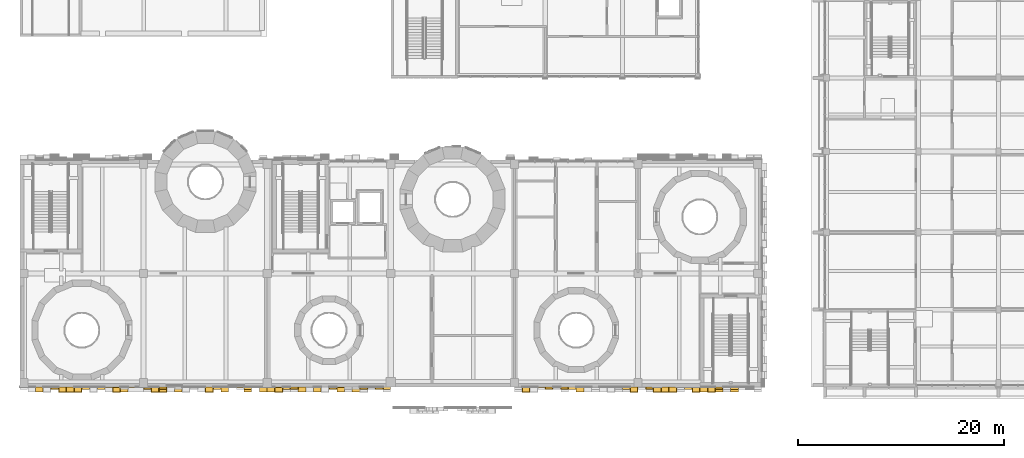
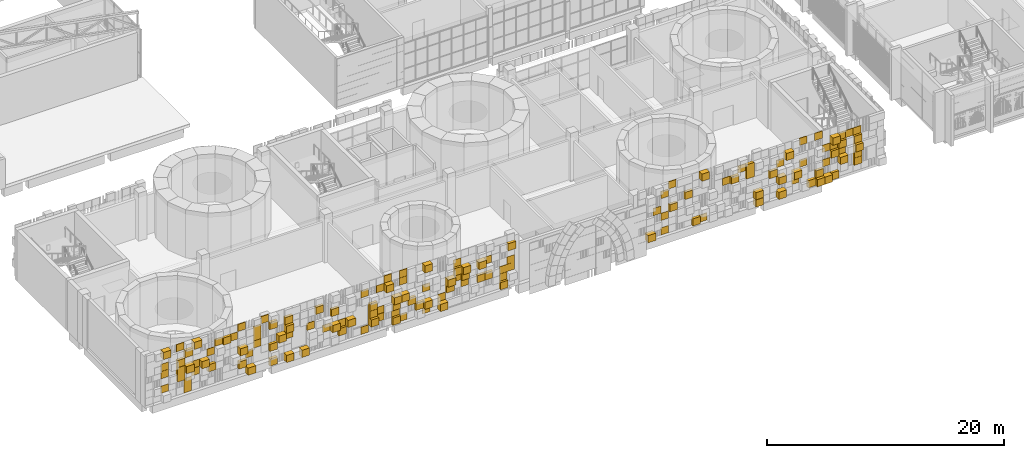
# One storey, part 95 of 125: 2 coverings.
"""IFC4 building model written with IfcOpenShell, lengths in metres."""

from ifc_helpers import new_model, si_unit, direction, frame, origin, origin_2d, place, context, subcontext, project, spatial, rectangle, extrude, material, layer, layer_set, type_object, element, save


model = new_model("IFC4")

# Units and contexts
model_context = context("Model", 3, precision=1e-05, world=origin(), true_north=direction((0.0, 1.0)))
body_context = subcontext(model_context, "Body", "Model", "MODEL_VIEW")
ifc_project = project(units=[si_unit("LENGTHUNIT", "METRE"), si_unit("AREAUNIT", "SQUARE_METRE"), si_unit("VOLUMEUNIT", "CUBIC_METRE"), si_unit("PLANEANGLEUNIT", "RADIAN"), si_unit("MASSUNIT", "GRAM", prefix="KILO")], contexts=[model_context])

# Site, building, storey
site_placement = place(None, origin())
site = spatial("IfcSite", under=ifc_project, at=site_placement, CompositionType="ELEMENT")
building_placement = place(site_placement, origin())
building = spatial("IfcBuilding", under=site, at=building_placement, Name="Sun Court Science Centre", CompositionType="ELEMENT")
storey_placement = place(building_placement, frame((0.0, 0.0, 6.0)))
storey = spatial("IfcBuildingStorey", under=building, at=storey_placement, Name="L01", CompositionType="ELEMENT", Elevation=6.0)

# Coverings
ifc_material_1 = material(Name="Terracotta shade 3", Category="masonry")
ifc_layer_1 = layer(ifc_material_1, 0.06005859375)
ifc_layer_set_1 = layer_set([ifc_layer_1], Name="Terracotta shade 3")
covering_type_1 = type_object("IfcCoveringType", Name="Terracotta pixel panel shade 3", PredefinedType="CLADDING", material=ifc_layer_set_1)
covering_1_placement = place(storey_placement, frame((0.0, 0.0, -6.0)))
element("IfcCovering", 1, at=covering_1_placement, inside=storey, type_object=covering_type_1, Name="Terracotta pixel cladding shade 3 south face L01", PredefinedType="CLADDING", context=body_context, shape_type="SweptSolid", body=[
    extrude(rectangle(XDim=0.739990234375, YDim=0.510009765625, at=origin_2d()), frame((66.375, 5.7451171875, 6.0048828125), z_axis=(0.0, 0.0, 1.0), x_axis=(-1.0, 0.0, 0.0)), (0.0, 0.0, 1.0), 0.739990234375),
    extrude(rectangle(XDim=0.739990234375, YDim=0.260009765625, at=origin_2d()), frame((64.875, 5.8701171875, 6.0048828125), z_axis=(0.0, 0.0, 1.0), x_axis=(-1.0, 0.0, 0.0)), (0.0, 0.0, 1.0), 0.739990234375),
    extrude(rectangle(XDim=0.739990234375, YDim=0.510009765625, at=origin_2d()), frame((61.875, 5.7451171875, 6.0048828125), z_axis=(0.0, 0.0, 1.0), x_axis=(-1.0, 0.0, 0.0)), (0.0, 0.0, 1.0), 0.739990234375),
    extrude(rectangle(XDim=0.739990234375, YDim=0.06005859375, at=origin_2d()), frame((54.375, 5.969970703125, 6.0048828125), z_axis=(0.0, 0.0, 1.0), x_axis=(-1.0, 0.0, 0.0)), (0.0, 0.0, 1.0), 0.739990234375),
    extrude(rectangle(XDim=0.739990234375, YDim=0.260009765625, at=origin_2d()), frame((53.625, 5.8701171875, 6.0048828125), z_axis=(0.0, 0.0, 1.0), x_axis=(-1.0, 0.0, 0.0)), (0.0, 0.0, 1.0), 0.739990234375),
    extrude(rectangle(XDim=0.739990234375, YDim=0.510009765625, at=origin_2d()), frame((28.875, 5.7451171875, 6.0048828125), z_axis=(0.0, 0.0, 1.0), x_axis=(-1.0, 0.0, 0.0)), (0.0, 0.0, 1.0), 0.739990234375),
    extrude(rectangle(XDim=0.739990234375, YDim=0.06005859375, at=origin_2d()), frame((27.375, 5.969970703125, 6.0048828125), z_axis=(0.0, 0.0, 1.0), x_axis=(-1.0, 0.0, 0.0)), (0.0, 0.0, 1.0), 0.739990234375),
    extrude(rectangle(XDim=0.739990234375, YDim=0.06005859375, at=origin_2d()), frame((25.125, 5.969970703125, 6.0048828125), z_axis=(0.0, 0.0, 1.0), x_axis=(-1.0, 0.0, 0.0)), (0.0, 0.0, 1.0), 0.739990234375),
    extrude(rectangle(XDim=0.739990234375, YDim=0.260009765625, at=origin_2d()), frame((24.375, 5.8701171875, 6.0048828125), z_axis=(0.0, 0.0, 1.0), x_axis=(-1.0, 0.0, 0.0)), (0.0, 0.0, 1.0), 0.739990234375),
    extrude(rectangle(XDim=0.739990234375, YDim=0.06005859375, at=origin_2d()), frame((21.375, 5.969970703125, 6.0048828125), z_axis=(0.0, 0.0, 1.0), x_axis=(-1.0, 0.0, 0.0)), (0.0, 0.0, 1.0), 0.739990234375),
    extrude(rectangle(XDim=0.739990234375, YDim=0.510009765625, at=origin_2d()), frame((15.375, 5.7451171875, 6.0048828125), z_axis=(0.0, 0.0, 1.0), x_axis=(-1.0, 0.0, 0.0)), (0.0, 0.0, 1.0), 0.739990234375),
    extrude(rectangle(XDim=0.739990234375, YDim=0.260009765625, at=origin_2d()), frame((12.375, 5.8701171875, 6.0048828125), z_axis=(0.0, 0.0, 1.0), x_axis=(-1.0, 0.0, 0.0)), (0.0, 0.0, 1.0), 0.739990234375),
    extrude(rectangle(XDim=0.739990234375, YDim=0.510009765625, at=origin_2d()), frame((10.125, 5.7451171875, 6.0048828125), z_axis=(0.0, 0.0, 1.0), x_axis=(-1.0, 0.0, 0.0)), (0.0, 0.0, 1.0), 0.739990234375),
    extrude(rectangle(XDim=0.739990234375, YDim=0.06005859375, at=origin_2d()), frame((4.125, 5.969970703125, 6.0048828125), z_axis=(0.0, 0.0, 1.0), x_axis=(-1.0, 0.0, 0.0)), (0.0, 0.0, 1.0), 0.739990234375),
    extrude(rectangle(XDim=0.739990234375, YDim=0.260009765625, at=origin_2d()), frame((65.625, 5.8701171875, 6.7548828125), z_axis=(0.0, 0.0, 1.0), x_axis=(-1.0, 0.0, 0.0)), (0.0, 0.0, 1.0), 0.739990234375),
    extrude(rectangle(XDim=0.739990234375, YDim=0.06005859375, at=origin_2d()), frame((63.375, 5.969970703125, 6.7548828125), z_axis=(0.0, 0.0, 1.0), x_axis=(-1.0, 0.0, 0.0)), (0.0, 0.0, 1.0), 0.739990234375),
    extrude(rectangle(XDim=0.739990234375, YDim=0.510009765625, at=origin_2d()), frame((59.625, 5.7451171875, 6.7548828125), z_axis=(0.0, 0.0, 1.0), x_axis=(-1.0, 0.0, 0.0)), (0.0, 0.0, 1.0), 0.739990234375),
    extrude(rectangle(XDim=0.739990234375, YDim=0.06005859375, at=origin_2d()), frame((34.875, 5.969970703125, 6.7548828125), z_axis=(0.0, 0.0, 1.0), x_axis=(-1.0, 0.0, 0.0)), (0.0, 0.0, 1.0), 0.739990234375),
    extrude(rectangle(XDim=0.739990234375, YDim=0.06005859375, at=origin_2d()), frame((28.875, 5.969970703125, 6.7548828125), z_axis=(0.0, 0.0, 1.0), x_axis=(-1.0, 0.0, 0.0)), (0.0, 0.0, 1.0), 0.739990234375),
    extrude(rectangle(XDim=0.739990234375, YDim=0.510009765625, at=origin_2d()), frame((27.375, 5.7451171875, 6.7548828125), z_axis=(0.0, 0.0, 1.0), x_axis=(-1.0, 0.0, 0.0)), (0.0, 0.0, 1.0), 0.739990234375),
    extrude(rectangle(XDim=0.739990234375, YDim=0.06005859375, at=origin_2d()), frame((24.375, 5.969970703125, 6.7548828125), z_axis=(0.0, 0.0, 1.0), x_axis=(-1.0, 0.0, 0.0)), (0.0, 0.0, 1.0), 0.739990234375),
    extrude(rectangle(XDim=0.739990234375, YDim=0.06005859375, at=origin_2d()), frame((22.875, 5.969970703125, 6.7548828125), z_axis=(0.0, 0.0, 1.0), x_axis=(-1.0, 0.0, 0.0)), (0.0, 0.0, 1.0), 0.739990234375),
    extrude(rectangle(XDim=0.739990234375, YDim=0.510009765625, at=origin_2d()), frame((22.125, 5.7451171875, 6.7548828125), z_axis=(0.0, 0.0, 1.0), x_axis=(-1.0, 0.0, 0.0)), (0.0, 0.0, 1.0), 0.739990234375),
    extrude(rectangle(XDim=0.739990234375, YDim=0.260009765625, at=origin_2d()), frame((19.125, 5.8701171875, 6.7548828125), z_axis=(0.0, 0.0, 1.0), x_axis=(-1.0, 0.0, 0.0)), (0.0, 0.0, 1.0), 0.739990234375),
    extrude(rectangle(XDim=0.739990234375, YDim=0.260009765625, at=origin_2d()), frame((9.375, 5.8701171875, 6.7548828125), z_axis=(0.0, 0.0, 1.0), x_axis=(-1.0, 0.0, 0.0)), (0.0, 0.0, 1.0), 0.739990234375),
    extrude(rectangle(XDim=0.739990234375, YDim=0.06005859375, at=origin_2d()), frame((4.125, 5.969970703125, 6.7548828125), z_axis=(0.0, 0.0, 1.0), x_axis=(-1.0, 0.0, 0.0)), (0.0, 0.0, 1.0), 0.739990234375),
    extrude(rectangle(XDim=0.739990234375, YDim=0.260009765625, at=origin_2d()), frame((69.375, 5.8701171875, 7.5048828125), z_axis=(0.0, 0.0, 1.0), x_axis=(-1.0, 0.0, 0.0)), (0.0, 0.0, 1.0), 0.739990234375),
    extrude(rectangle(XDim=0.739990234375, YDim=0.510009765625, at=origin_2d()), frame((67.875, 5.7451171875, 7.5048828125), z_axis=(0.0, 0.0, 1.0), x_axis=(-1.0, 0.0, 0.0)), (0.0, 0.0, 1.0), 0.739990234375),
    extrude(rectangle(XDim=0.739990234375, YDim=0.06005859375, at=origin_2d()), frame((66.375, 5.969970703125, 7.5048828125), z_axis=(0.0, 0.0, 1.0), x_axis=(-1.0, 0.0, 0.0)), (0.0, 0.0, 1.0), 0.739990234375),
    extrude(rectangle(XDim=0.739990234375, YDim=0.06005859375, at=origin_2d()), frame((50.625, 5.969970703125, 7.5048828125), z_axis=(0.0, 0.0, 1.0), x_axis=(-1.0, 0.0, 0.0)), (0.0, 0.0, 1.0), 0.739990234375),
    extrude(rectangle(XDim=0.739990234375, YDim=0.06005859375, at=origin_2d()), frame((35.625, 5.969970703125, 7.5048828125), z_axis=(0.0, 0.0, 1.0), x_axis=(-1.0, 0.0, 0.0)), (0.0, 0.0, 1.0), 0.739990234375),
    extrude(rectangle(XDim=0.739990234375, YDim=0.06005859375, at=origin_2d()), frame((34.875, 5.969970703125, 7.5048828125), z_axis=(0.0, 0.0, 1.0), x_axis=(-1.0, 0.0, 0.0)), (0.0, 0.0, 1.0), 0.739990234375),
    extrude(rectangle(XDim=0.739990234375, YDim=0.260009765625, at=origin_2d()), frame((32.625, 5.8701171875, 7.5048828125), z_axis=(0.0, 0.0, 1.0), x_axis=(-1.0, 0.0, 0.0)), (0.0, 0.0, 1.0), 0.739990234375),
    extrude(rectangle(XDim=0.739990234375, YDim=0.260009765625, at=origin_2d()), frame((29.625, 5.8701171875, 7.5048828125), z_axis=(0.0, 0.0, 1.0), x_axis=(-1.0, 0.0, 0.0)), (0.0, 0.0, 1.0), 0.739990234375),
    extrude(rectangle(XDim=0.739990234375, YDim=0.260009765625, at=origin_2d()), frame((25.875, 5.8701171875, 7.5048828125), z_axis=(0.0, 0.0, 1.0), x_axis=(-1.0, 0.0, 0.0)), (0.0, 0.0, 1.0), 0.739990234375),
    extrude(rectangle(XDim=0.739990234375, YDim=0.260009765625, at=origin_2d()), frame((24.375, 5.8701171875, 7.5048828125), z_axis=(0.0, 0.0, 1.0), x_axis=(-1.0, 0.0, 0.0)), (0.0, 0.0, 1.0), 0.739990234375),
    extrude(rectangle(XDim=0.739990234375, YDim=0.260009765625, at=origin_2d()), frame((22.125, 5.8701171875, 7.5048828125), z_axis=(0.0, 0.0, 1.0), x_axis=(-1.0, 0.0, 0.0)), (0.0, 0.0, 1.0), 0.739990234375),
    extrude(rectangle(XDim=0.739990234375, YDim=0.510009765625, at=origin_2d()), frame((19.875, 5.7451171875, 7.5048828125), z_axis=(0.0, 0.0, 1.0), x_axis=(-1.0, 0.0, 0.0)), (0.0, 0.0, 1.0), 0.739990234375),
    extrude(rectangle(XDim=0.739990234375, YDim=0.06005859375, at=origin_2d()), frame((19.125, 5.969970703125, 7.5048828125), z_axis=(0.0, 0.0, 1.0), x_axis=(-1.0, 0.0, 0.0)), (0.0, 0.0, 1.0), 0.739990234375),
    extrude(rectangle(XDim=0.739990234375, YDim=0.06005859375, at=origin_2d()), frame((17.625, 5.969970703125, 7.5048828125), z_axis=(0.0, 0.0, 1.0), x_axis=(-1.0, 0.0, 0.0)), (0.0, 0.0, 1.0), 0.739990234375),
    extrude(rectangle(XDim=0.739990234375, YDim=0.06005859375, at=origin_2d()), frame((10.125, 5.969970703125, 7.5048828125), z_axis=(0.0, 0.0, 1.0), x_axis=(-1.0, 0.0, 0.0)), (0.0, 0.0, 1.0), 0.739990234375),
    extrude(rectangle(XDim=0.739990234375, YDim=0.260009765625, at=origin_2d()), frame((6.375, 5.8701171875, 7.5048828125), z_axis=(0.0, 0.0, 1.0), x_axis=(-1.0, 0.0, 0.0)), (0.0, 0.0, 1.0), 0.739990234375),
    extrude(rectangle(XDim=0.739990234375, YDim=0.06005859375, at=origin_2d()), frame((4.875, 5.969970703125, 7.5048828125), z_axis=(0.0, 0.0, 1.0), x_axis=(-1.0, 0.0, 0.0)), (0.0, 0.0, 1.0), 0.739990234375),
    extrude(rectangle(XDim=0.739990234375, YDim=0.06005859375, at=origin_2d()), frame((67.875, 5.969970703125, 8.2548828125), z_axis=(0.0, 0.0, 1.0), x_axis=(-1.0, 0.0, 0.0)), (0.0, 0.0, 1.0), 0.739990234375),
    extrude(rectangle(XDim=0.739990234375, YDim=0.260009765625, at=origin_2d()), frame((67.125, 5.8701171875, 8.2548828125), z_axis=(0.0, 0.0, 1.0), x_axis=(-1.0, 0.0, 0.0)), (0.0, 0.0, 1.0), 0.739990234375),
    extrude(rectangle(XDim=0.739990234375, YDim=0.06005859375, at=origin_2d()), frame((64.125, 5.969970703125, 8.2548828125), z_axis=(0.0, 0.0, 1.0), x_axis=(-1.0, 0.0, 0.0)), (0.0, 0.0, 1.0), 0.739990234375),
    extrude(rectangle(XDim=0.739990234375, YDim=0.06005859375, at=origin_2d()), frame((49.875, 5.969970703125, 8.2548828125), z_axis=(0.0, 0.0, 1.0), x_axis=(-1.0, 0.0, 0.0)), (0.0, 0.0, 1.0), 0.739990234375),
    extrude(rectangle(XDim=0.739990234375, YDim=0.06005859375, at=origin_2d()), frame((35.625, 5.969970703125, 8.2548828125), z_axis=(0.0, 0.0, 1.0), x_axis=(-1.0, 0.0, 0.0)), (0.0, 0.0, 1.0), 0.739990234375),
    extrude(rectangle(XDim=0.739990234375, YDim=0.260009765625, at=origin_2d()), frame((31.125, 5.8701171875, 8.2548828125), z_axis=(0.0, 0.0, 1.0), x_axis=(-1.0, 0.0, 0.0)), (0.0, 0.0, 1.0), 0.739990234375),
    extrude(rectangle(XDim=0.739990234375, YDim=0.06005859375, at=origin_2d()), frame((30.375, 5.969970703125, 8.2548828125), z_axis=(0.0, 0.0, 1.0), x_axis=(-1.0, 0.0, 0.0)), (0.0, 0.0, 1.0), 0.739990234375),
    extrude(rectangle(XDim=0.739990234375, YDim=0.510009765625, at=origin_2d()), frame((29.625, 5.7451171875, 8.2548828125), z_axis=(0.0, 0.0, 1.0), x_axis=(-1.0, 0.0, 0.0)), (0.0, 0.0, 1.0), 0.739990234375),
    extrude(rectangle(XDim=0.739990234375, YDim=0.06005859375, at=origin_2d()), frame((27.375, 5.969970703125, 8.2548828125), z_axis=(0.0, 0.0, 1.0), x_axis=(-1.0, 0.0, 0.0)), (0.0, 0.0, 1.0), 0.739990234375),
    extrude(rectangle(XDim=0.739990234375, YDim=0.510009765625, at=origin_2d()), frame((24.375, 5.7451171875, 8.2548828125), z_axis=(0.0, 0.0, 1.0), x_axis=(-1.0, 0.0, 0.0)), (0.0, 0.0, 1.0), 0.739990234375),
    extrude(rectangle(XDim=0.739990234375, YDim=0.260009765625, at=origin_2d()), frame((22.125, 5.8701171875, 8.2548828125), z_axis=(0.0, 0.0, 1.0), x_axis=(-1.0, 0.0, 0.0)), (0.0, 0.0, 1.0), 0.739990234375),
    extrude(rectangle(XDim=0.739990234375, YDim=0.06005859375, at=origin_2d()), frame((16.125, 5.969970703125, 8.2548828125), z_axis=(0.0, 0.0, 1.0), x_axis=(-1.0, 0.0, 0.0)), (0.0, 0.0, 1.0), 0.739990234375),
    extrude(rectangle(XDim=0.739990234375, YDim=0.06005859375, at=origin_2d()), frame((1.875, 5.969970703125, 8.2548828125), z_axis=(0.0, 0.0, 1.0), x_axis=(-1.0, 0.0, 0.0)), (0.0, 0.0, 1.0), 0.739990234375),
    extrude(rectangle(XDim=0.739990234375, YDim=0.06005859375, at=origin_2d()), frame((66.375, 5.969970703125, 9.0048828125), z_axis=(0.0, 0.0, 1.0), x_axis=(-1.0, 0.0, 0.0)), (0.0, 0.0, 1.0), 0.739990234375),
    extrude(rectangle(XDim=0.739990234375, YDim=0.06005859375, at=origin_2d()), frame((61.875, 5.969970703125, 9.0048828125), z_axis=(0.0, 0.0, 1.0), x_axis=(-1.0, 0.0, 0.0)), (0.0, 0.0, 1.0), 0.739990234375),
    extrude(rectangle(XDim=0.739990234375, YDim=0.260009765625, at=origin_2d()), frame((58.875, 5.8701171875, 9.0048828125), z_axis=(0.0, 0.0, 1.0), x_axis=(-1.0, 0.0, 0.0)), (0.0, 0.0, 1.0), 0.739990234375),
    extrude(rectangle(XDim=0.739990234375, YDim=0.260009765625, at=origin_2d()), frame((57.375, 5.8701171875, 9.0048828125), z_axis=(0.0, 0.0, 1.0), x_axis=(-1.0, 0.0, 0.0)), (0.0, 0.0, 1.0), 0.739990234375),
    extrude(rectangle(XDim=0.739990234375, YDim=0.06005859375, at=origin_2d()), frame((56.625, 5.969970703125, 9.0048828125), z_axis=(0.0, 0.0, 1.0), x_axis=(-1.0, 0.0, 0.0)), (0.0, 0.0, 1.0), 0.739990234375),
    extrude(rectangle(XDim=0.739990234375, YDim=0.510009765625, at=origin_2d()), frame((32.625, 5.7451171875, 9.0048828125), z_axis=(0.0, 0.0, 1.0), x_axis=(-1.0, 0.0, 0.0)), (0.0, 0.0, 1.0), 0.739990234375),
    extrude(rectangle(XDim=0.739990234375, YDim=0.510009765625, at=origin_2d()), frame((31.125, 5.7451171875, 9.0048828125), z_axis=(0.0, 0.0, 1.0), x_axis=(-1.0, 0.0, 0.0)), (0.0, 0.0, 1.0), 0.739990234375),
    extrude(rectangle(XDim=0.739990234375, YDim=0.260009765625, at=origin_2d()), frame((18.375, 5.8701171875, 9.0048828125), z_axis=(0.0, 0.0, 1.0), x_axis=(-1.0, 0.0, 0.0)), (0.0, 0.0, 1.0), 0.739990234375),
    extrude(rectangle(XDim=0.739990234375, YDim=0.510009765625, at=origin_2d()), frame((13.875, 5.7451171875, 9.0048828125), z_axis=(0.0, 0.0, 1.0), x_axis=(-1.0, 0.0, 0.0)), (0.0, 0.0, 1.0), 0.739990234375),
    extrude(rectangle(XDim=0.739990234375, YDim=0.06005859375, at=origin_2d()), frame((10.875, 5.969970703125, 9.0048828125), z_axis=(0.0, 0.0, 1.0), x_axis=(-1.0, 0.0, 0.0)), (0.0, 0.0, 1.0), 0.739990234375),
    extrude(rectangle(XDim=0.739990234375, YDim=0.06005859375, at=origin_2d()), frame((6.375, 5.969970703125, 9.0048828125), z_axis=(0.0, 0.0, 1.0), x_axis=(-1.0, 0.0, 0.0)), (0.0, 0.0, 1.0), 0.739990234375),
    extrude(rectangle(XDim=0.739990234375, YDim=0.260009765625, at=origin_2d()), frame((3.375, 5.8701171875, 9.0048828125), z_axis=(0.0, 0.0, 1.0), x_axis=(-1.0, 0.0, 0.0)), (0.0, 0.0, 1.0), 0.739990234375),
    extrude(rectangle(XDim=0.739990234375, YDim=0.06005859375, at=origin_2d()), frame((67.875, 5.969970703125, 9.7548828125), z_axis=(0.0, 0.0, 1.0), x_axis=(-1.0, 0.0, 0.0)), (0.0, 0.0, 1.0), 0.739990234375),
    extrude(rectangle(XDim=0.739990234375, YDim=0.260009765625, at=origin_2d()), frame((58.875, 5.8701171875, 9.7548828125), z_axis=(0.0, 0.0, 1.0), x_axis=(-1.0, 0.0, 0.0)), (0.0, 0.0, 1.0), 0.739990234375),
    extrude(rectangle(XDim=0.739990234375, YDim=0.06005859375, at=origin_2d()), frame((58.125, 5.969970703125, 9.7548828125), z_axis=(0.0, 0.0, 1.0), x_axis=(-1.0, 0.0, 0.0)), (0.0, 0.0, 1.0), 0.739990234375),
    extrude(rectangle(XDim=0.739990234375, YDim=0.260009765625, at=origin_2d()), frame((35.625, 5.8701171875, 9.7548828125), z_axis=(0.0, 0.0, 1.0), x_axis=(-1.0, 0.0, 0.0)), (0.0, 0.0, 1.0), 0.739990234375),
    extrude(rectangle(XDim=0.739990234375, YDim=0.06005859375, at=origin_2d()), frame((30.375, 5.969970703125, 9.7548828125), z_axis=(0.0, 0.0, 1.0), x_axis=(-1.0, 0.0, 0.0)), (0.0, 0.0, 1.0), 0.739990234375),
    extrude(rectangle(XDim=0.739990234375, YDim=0.510009765625, at=origin_2d()), frame((23.625, 5.7451171875, 9.7548828125), z_axis=(0.0, 0.0, 1.0), x_axis=(-1.0, 0.0, 0.0)), (0.0, 0.0, 1.0), 0.739990234375),
    extrude(rectangle(XDim=0.739990234375, YDim=0.260009765625, at=origin_2d()), frame((16.875, 5.8701171875, 9.7548828125), z_axis=(0.0, 0.0, 1.0), x_axis=(-1.0, 0.0, 0.0)), (0.0, 0.0, 1.0), 0.739990234375),
    extrude(rectangle(XDim=0.739990234375, YDim=0.260009765625, at=origin_2d()), frame((13.875, 5.8701171875, 9.7548828125), z_axis=(0.0, 0.0, 1.0), x_axis=(-1.0, 0.0, 0.0)), (0.0, 0.0, 1.0), 0.739990234375),
    extrude(rectangle(XDim=0.739990234375, YDim=0.260009765625, at=origin_2d()), frame((12.375, 5.8701171875, 9.7548828125), z_axis=(0.0, 0.0, 1.0), x_axis=(-1.0, 0.0, 0.0)), (0.0, 0.0, 1.0), 0.739990234375),
    extrude(rectangle(XDim=0.739990234375, YDim=0.06005859375, at=origin_2d()), frame((10.875, 5.969970703125, 9.7548828125), z_axis=(0.0, 0.0, 1.0), x_axis=(-1.0, 0.0, 0.0)), (0.0, 0.0, 1.0), 0.739990234375),
    extrude(rectangle(XDim=0.739990234375, YDim=0.260009765625, at=origin_2d()), frame((7.875, 5.8701171875, 9.7548828125), z_axis=(0.0, 0.0, 1.0), x_axis=(-1.0, 0.0, 0.0)), (0.0, 0.0, 1.0), 0.739990234375),
    extrude(rectangle(XDim=0.739990234375, YDim=0.06005859375, at=origin_2d()), frame((7.125, 5.969970703125, 9.7548828125), z_axis=(0.0, 0.0, 1.0), x_axis=(-1.0, 0.0, 0.0)), (0.0, 0.0, 1.0), 0.739990234375),
    extrude(rectangle(XDim=0.739990234375, YDim=0.260009765625, at=origin_2d()), frame((4.125, 5.8701171875, 9.7548828125), z_axis=(0.0, 0.0, 1.0), x_axis=(-1.0, 0.0, 0.0)), (0.0, 0.0, 1.0), 0.739990234375),
    extrude(rectangle(XDim=0.739990234375, YDim=0.06005859375, at=origin_2d()), frame((65.625, 5.969970703125, 10.5048828125), z_axis=(0.0, 0.0, 1.0), x_axis=(-1.0, 0.0, 0.0)), (0.0, 0.0, 1.0), 0.739990234375),
    extrude(rectangle(XDim=0.739990234375, YDim=0.06005859375, at=origin_2d()), frame((64.125, 5.969970703125, 10.5048828125), z_axis=(0.0, 0.0, 1.0), x_axis=(-1.0, 0.0, 0.0)), (0.0, 0.0, 1.0), 0.739990234375),
    extrude(rectangle(XDim=0.739990234375, YDim=0.510009765625, at=origin_2d()), frame((54.375, 5.7451171875, 10.5048828125), z_axis=(0.0, 0.0, 1.0), x_axis=(-1.0, 0.0, 0.0)), (0.0, 0.0, 1.0), 0.739990234375),
    extrude(rectangle(XDim=0.739990234375, YDim=0.06005859375, at=origin_2d()), frame((51.375, 5.969970703125, 10.5048828125), z_axis=(0.0, 0.0, 1.0), x_axis=(-1.0, 0.0, 0.0)), (0.0, 0.0, 1.0), 0.739990234375),
    extrude(rectangle(XDim=0.739990234375, YDim=0.510009765625, at=origin_2d()), frame((27.375, 5.7451171875, 10.5048828125), z_axis=(0.0, 0.0, 1.0), x_axis=(-1.0, 0.0, 0.0)), (0.0, 0.0, 1.0), 0.739990234375),
    extrude(rectangle(XDim=0.739990234375, YDim=0.06005859375, at=origin_2d()), frame((23.625, 5.969970703125, 10.5048828125), z_axis=(0.0, 0.0, 1.0), x_axis=(-1.0, 0.0, 0.0)), (0.0, 0.0, 1.0), 0.739990234375),
    extrude(rectangle(XDim=0.739990234375, YDim=0.510009765625, at=origin_2d()), frame((1.875, 5.7451171875, 10.5048828125), z_axis=(0.0, 0.0, 1.0), x_axis=(-1.0, 0.0, 0.0)), (0.0, 0.0, 1.0), 0.739990234375),
    extrude(rectangle(XDim=0.739990234375, YDim=0.260009765625, at=origin_2d()), frame((69.375, 5.8701171875, 6.7548828125), z_axis=(0.0, 0.0, 1.0), x_axis=(-1.0, 0.0, 0.0)), (0.0, 0.0, 1.0), 0.739990234375),
    extrude(rectangle(XDim=0.739990234375, YDim=0.06005859375, at=origin_2d()), frame((69.375, 5.969970703125, 9.7548828125), z_axis=(0.0, 0.0, 1.0), x_axis=(-1.0, 0.0, 0.0)), (0.0, 0.0, 1.0), 0.739990234375),
    extrude(rectangle(XDim=0.739990234375, YDim=0.06005859375, at=origin_2d()), frame((1.875, 5.969970703125, 6.7548828125), z_axis=(0.0, 0.0, 1.0), x_axis=(-1.0, 0.0, 0.0)), (0.0, 0.0, 1.0), 0.739990234375),
    extrude(rectangle(XDim=0.739990234375, YDim=0.06005859375, at=origin_2d()), frame((1.875, 5.969970703125, 9.0048828125), z_axis=(0.0, 0.0, 1.0), x_axis=(-1.0, 0.0, 0.0)), (0.0, 0.0, 1.0), 0.739990234375),
    extrude(rectangle(XDim=0.739990234375, YDim=0.510009765625, at=origin_2d()), frame((69.375, 5.7451171875, 8.2548828125), z_axis=(0.0, 0.0, 1.0), x_axis=(-1.0, 0.0, 0.0)), (0.0, 0.0, 1.0), 0.739990234375),
    extrude(rectangle(XDim=0.739990234375, YDim=0.260009765625, at=origin_2d()), frame((69.375, 5.8701171875, 9.0048828125), z_axis=(0.0, 0.0, 1.0), x_axis=(-1.0, 0.0, 0.0)), (0.0, 0.0, 1.0), 0.739990234375),
])
ifc_material_2 = material(Name="Terracotta shade 5", Category="masonry")
ifc_layer_2 = layer(ifc_material_2, 0.06005859375)
ifc_layer_set_2 = layer_set([ifc_layer_2], Name="Terracotta shade 5")
covering_type_2 = type_object("IfcCoveringType", Name="Terracotta pixel panel shade 5", PredefinedType="CLADDING", material=ifc_layer_set_2)
covering_2_placement = place(storey_placement, frame((0.0, 0.0, -6.0)))
element("IfcCovering", 2, at=covering_2_placement, inside=storey, type_object=covering_type_2, Name="Terracotta pixel cladding shade 5 south face L01", PredefinedType="CLADDING", context=body_context, shape_type="SweptSolid", body=[
    extrude(rectangle(XDim=0.739990234375, YDim=0.260009765625, at=origin_2d()), frame((67.125, 5.8701171875, 6.0048828125), z_axis=(0.0, 0.0, 1.0), x_axis=(-1.0, 0.0, 0.0)), (0.0, 0.0, 1.0), 0.739990234375),
    extrude(rectangle(XDim=0.739990234375, YDim=0.510009765625, at=origin_2d()), frame((65.625, 5.7451171875, 6.0048828125), z_axis=(0.0, 0.0, 1.0), x_axis=(-1.0, 0.0, 0.0)), (0.0, 0.0, 1.0), 0.739990234375),
    extrude(rectangle(XDim=0.739990234375, YDim=0.510009765625, at=origin_2d()), frame((59.625, 5.7451171875, 6.0048828125), z_axis=(0.0, 0.0, 1.0), x_axis=(-1.0, 0.0, 0.0)), (0.0, 0.0, 1.0), 0.739990234375),
    extrude(rectangle(XDim=0.739990234375, YDim=0.06005859375, at=origin_2d()), frame((50.625, 5.969970703125, 6.0048828125), z_axis=(0.0, 0.0, 1.0), x_axis=(-1.0, 0.0, 0.0)), (0.0, 0.0, 1.0), 0.739990234375),
    extrude(rectangle(XDim=0.739990234375, YDim=0.510009765625, at=origin_2d()), frame((49.125, 5.7451171875, 6.0048828125), z_axis=(0.0, 0.0, 1.0), x_axis=(-1.0, 0.0, 0.0)), (0.0, 0.0, 1.0), 0.739990234375),
    extrude(rectangle(XDim=0.739990234375, YDim=0.260009765625, at=origin_2d()), frame((34.875, 5.8701171875, 6.0048828125), z_axis=(0.0, 0.0, 1.0), x_axis=(-1.0, 0.0, 0.0)), (0.0, 0.0, 1.0), 0.739990234375),
    extrude(rectangle(XDim=0.739990234375, YDim=0.510009765625, at=origin_2d()), frame((13.875, 5.7451171875, 6.0048828125), z_axis=(0.0, 0.0, 1.0), x_axis=(-1.0, 0.0, 0.0)), (0.0, 0.0, 1.0), 0.739990234375),
    extrude(rectangle(XDim=0.739990234375, YDim=0.260009765625, at=origin_2d()), frame((26.625, 5.8701171875, 6.7548828125), z_axis=(0.0, 0.0, 1.0), x_axis=(-1.0, 0.0, 0.0)), (0.0, 0.0, 1.0), 0.739990234375),
    extrude(rectangle(XDim=0.739990234375, YDim=0.510009765625, at=origin_2d()), frame((63.375, 5.7451171875, 7.5048828125), z_axis=(0.0, 0.0, 1.0), x_axis=(-1.0, 0.0, 0.0)), (0.0, 0.0, 1.0), 0.739990234375),
    extrude(rectangle(XDim=0.739990234375, YDim=0.510009765625, at=origin_2d()), frame((61.875, 5.7451171875, 7.5048828125), z_axis=(0.0, 0.0, 1.0), x_axis=(-1.0, 0.0, 0.0)), (0.0, 0.0, 1.0), 0.739990234375),
    extrude(rectangle(XDim=0.739990234375, YDim=0.260009765625, at=origin_2d()), frame((33.375, 5.8701171875, 7.5048828125), z_axis=(0.0, 0.0, 1.0), x_axis=(-1.0, 0.0, 0.0)), (0.0, 0.0, 1.0), 0.739990234375),
    extrude(rectangle(XDim=0.739990234375, YDim=0.06005859375, at=origin_2d()), frame((31.125, 5.969970703125, 7.5048828125), z_axis=(0.0, 0.0, 1.0), x_axis=(-1.0, 0.0, 0.0)), (0.0, 0.0, 1.0), 0.739990234375),
    extrude(rectangle(XDim=0.739990234375, YDim=0.06005859375, at=origin_2d()), frame((22.875, 5.969970703125, 7.5048828125), z_axis=(0.0, 0.0, 1.0), x_axis=(-1.0, 0.0, 0.0)), (0.0, 0.0, 1.0), 0.739990234375),
    extrude(rectangle(XDim=0.739990234375, YDim=0.510009765625, at=origin_2d()), frame((18.375, 5.7451171875, 7.5048828125), z_axis=(0.0, 0.0, 1.0), x_axis=(-1.0, 0.0, 0.0)), (0.0, 0.0, 1.0), 0.739990234375),
    extrude(rectangle(XDim=0.739990234375, YDim=0.260009765625, at=origin_2d()), frame((12.375, 5.8701171875, 7.5048828125), z_axis=(0.0, 0.0, 1.0), x_axis=(-1.0, 0.0, 0.0)), (0.0, 0.0, 1.0), 0.739990234375),
    extrude(rectangle(XDim=0.739990234375, YDim=0.260009765625, at=origin_2d()), frame((3.375, 5.8701171875, 7.5048828125), z_axis=(0.0, 0.0, 1.0), x_axis=(-1.0, 0.0, 0.0)), (0.0, 0.0, 1.0), 0.739990234375),
    extrude(rectangle(XDim=0.739990234375, YDim=0.260009765625, at=origin_2d()), frame((61.125, 5.8701171875, 8.2548828125), z_axis=(0.0, 0.0, 1.0), x_axis=(-1.0, 0.0, 0.0)), (0.0, 0.0, 1.0), 0.739990234375),
    extrude(rectangle(XDim=0.739990234375, YDim=0.260009765625, at=origin_2d()), frame((51.375, 5.8701171875, 8.2548828125), z_axis=(0.0, 0.0, 1.0), x_axis=(-1.0, 0.0, 0.0)), (0.0, 0.0, 1.0), 0.739990234375),
    extrude(rectangle(XDim=0.739990234375, YDim=0.510009765625, at=origin_2d()), frame((25.125, 5.7451171875, 8.2548828125), z_axis=(0.0, 0.0, 1.0), x_axis=(-1.0, 0.0, 0.0)), (0.0, 0.0, 1.0), 0.739990234375),
    extrude(rectangle(XDim=0.739990234375, YDim=0.260009765625, at=origin_2d()), frame((13.875, 5.8701171875, 8.2548828125), z_axis=(0.0, 0.0, 1.0), x_axis=(-1.0, 0.0, 0.0)), (0.0, 0.0, 1.0), 0.739990234375),
    extrude(rectangle(XDim=0.739990234375, YDim=0.510009765625, at=origin_2d()), frame((13.125, 5.7451171875, 8.2548828125), z_axis=(0.0, 0.0, 1.0), x_axis=(-1.0, 0.0, 0.0)), (0.0, 0.0, 1.0), 0.739990234375),
    extrude(rectangle(XDim=0.739990234375, YDim=0.06005859375, at=origin_2d()), frame((10.875, 5.969970703125, 8.2548828125), z_axis=(0.0, 0.0, 1.0), x_axis=(-1.0, 0.0, 0.0)), (0.0, 0.0, 1.0), 0.739990234375),
    extrude(rectangle(XDim=0.739990234375, YDim=0.510009765625, at=origin_2d()), frame((9.375, 5.7451171875, 8.2548828125), z_axis=(0.0, 0.0, 1.0), x_axis=(-1.0, 0.0, 0.0)), (0.0, 0.0, 1.0), 0.739990234375),
    extrude(rectangle(XDim=0.739990234375, YDim=0.510009765625, at=origin_2d()), frame((5.625, 5.7451171875, 8.2548828125), z_axis=(0.0, 0.0, 1.0), x_axis=(-1.0, 0.0, 0.0)), (0.0, 0.0, 1.0), 0.739990234375),
    extrude(rectangle(XDim=0.739990234375, YDim=0.06005859375, at=origin_2d()), frame((4.875, 5.969970703125, 8.2548828125), z_axis=(0.0, 0.0, 1.0), x_axis=(-1.0, 0.0, 0.0)), (0.0, 0.0, 1.0), 0.739990234375),
    extrude(rectangle(XDim=0.739990234375, YDim=0.510009765625, at=origin_2d()), frame((4.125, 5.7451171875, 8.2548828125), z_axis=(0.0, 0.0, 1.0), x_axis=(-1.0, 0.0, 0.0)), (0.0, 0.0, 1.0), 0.739990234375),
    extrude(rectangle(XDim=0.739990234375, YDim=0.260009765625, at=origin_2d()), frame((3.375, 5.8701171875, 8.2548828125), z_axis=(0.0, 0.0, 1.0), x_axis=(-1.0, 0.0, 0.0)), (0.0, 0.0, 1.0), 0.739990234375),
    extrude(rectangle(XDim=0.739990234375, YDim=0.260009765625, at=origin_2d()), frame((67.875, 5.8701171875, 9.0048828125), z_axis=(0.0, 0.0, 1.0), x_axis=(-1.0, 0.0, 0.0)), (0.0, 0.0, 1.0), 0.739990234375),
    extrude(rectangle(XDim=0.739990234375, YDim=0.06005859375, at=origin_2d()), frame((67.125, 5.969970703125, 9.0048828125), z_axis=(0.0, 0.0, 1.0), x_axis=(-1.0, 0.0, 0.0)), (0.0, 0.0, 1.0), 0.739990234375),
    extrude(rectangle(XDim=0.739990234375, YDim=0.260009765625, at=origin_2d()), frame((52.875, 5.8701171875, 9.0048828125), z_axis=(0.0, 0.0, 1.0), x_axis=(-1.0, 0.0, 0.0)), (0.0, 0.0, 1.0), 0.739990234375),
    extrude(rectangle(XDim=0.739990234375, YDim=0.06005859375, at=origin_2d()), frame((33.375, 5.969970703125, 9.0048828125), z_axis=(0.0, 0.0, 1.0), x_axis=(-1.0, 0.0, 0.0)), (0.0, 0.0, 1.0), 0.739990234375),
    extrude(rectangle(XDim=0.739990234375, YDim=0.260009765625, at=origin_2d()), frame((30.375, 5.8701171875, 9.0048828125), z_axis=(0.0, 0.0, 1.0), x_axis=(-1.0, 0.0, 0.0)), (0.0, 0.0, 1.0), 0.739990234375),
    extrude(rectangle(XDim=0.739990234375, YDim=0.06005859375, at=origin_2d()), frame((68.625, 5.969970703125, 9.7548828125), z_axis=(0.0, 0.0, 1.0), x_axis=(-1.0, 0.0, 0.0)), (0.0, 0.0, 1.0), 0.739990234375),
    extrude(rectangle(XDim=0.739990234375, YDim=0.510009765625, at=origin_2d()), frame((67.125, 5.7451171875, 9.7548828125), z_axis=(0.0, 0.0, 1.0), x_axis=(-1.0, 0.0, 0.0)), (0.0, 0.0, 1.0), 0.739990234375),
    extrude(rectangle(XDim=0.739990234375, YDim=0.510009765625, at=origin_2d()), frame((62.625, 5.7451171875, 9.7548828125), z_axis=(0.0, 0.0, 1.0), x_axis=(-1.0, 0.0, 0.0)), (0.0, 0.0, 1.0), 0.739990234375),
    extrude(rectangle(XDim=0.739990234375, YDim=0.06005859375, at=origin_2d()), frame((50.625, 5.969970703125, 9.7548828125), z_axis=(0.0, 0.0, 1.0), x_axis=(-1.0, 0.0, 0.0)), (0.0, 0.0, 1.0), 0.739990234375),
    extrude(rectangle(XDim=0.739990234375, YDim=0.06005859375, at=origin_2d()), frame((25.125, 5.969970703125, 9.7548828125), z_axis=(0.0, 0.0, 1.0), x_axis=(-1.0, 0.0, 0.0)), (0.0, 0.0, 1.0), 0.739990234375),
    extrude(rectangle(XDim=0.739990234375, YDim=0.06005859375, at=origin_2d()), frame((22.875, 5.969970703125, 9.7548828125), z_axis=(0.0, 0.0, 1.0), x_axis=(-1.0, 0.0, 0.0)), (0.0, 0.0, 1.0), 0.739990234375),
    extrude(rectangle(XDim=0.739990234375, YDim=0.06005859375, at=origin_2d()), frame((21.375, 5.969970703125, 9.7548828125), z_axis=(0.0, 0.0, 1.0), x_axis=(-1.0, 0.0, 0.0)), (0.0, 0.0, 1.0), 0.739990234375),
    extrude(rectangle(XDim=0.739990234375, YDim=0.06005859375, at=origin_2d()), frame((8.625, 5.969970703125, 9.7548828125), z_axis=(0.0, 0.0, 1.0), x_axis=(-1.0, 0.0, 0.0)), (0.0, 0.0, 1.0), 0.739990234375),
    extrude(rectangle(XDim=0.739990234375, YDim=0.06005859375, at=origin_2d()), frame((25.125, 5.969970703125, 10.5048828125), z_axis=(0.0, 0.0, 1.0), x_axis=(-1.0, 0.0, 0.0)), (0.0, 0.0, 1.0), 0.739990234375),
    extrude(rectangle(XDim=0.739990234375, YDim=0.06005859375, at=origin_2d()), frame((11.625, 5.969970703125, 10.5048828125), z_axis=(0.0, 0.0, 1.0), x_axis=(-1.0, 0.0, 0.0)), (0.0, 0.0, 1.0), 0.739990234375),
    extrude(rectangle(XDim=0.739990234375, YDim=0.06005859375, at=origin_2d()), frame((9.375, 5.969970703125, 10.5048828125), z_axis=(0.0, 0.0, 1.0), x_axis=(-1.0, 0.0, 0.0)), (0.0, 0.0, 1.0), 0.739990234375),
    extrude(rectangle(XDim=0.739990234375, YDim=0.510009765625, at=origin_2d()), frame((4.875, 5.7451171875, 10.5048828125), z_axis=(0.0, 0.0, 1.0), x_axis=(-1.0, 0.0, 0.0)), (0.0, 0.0, 1.0), 0.739990234375),
    extrude(rectangle(XDim=0.739990234375, YDim=0.06005859375, at=origin_2d()), frame((3.375, 5.969970703125, 10.5048828125), z_axis=(0.0, 0.0, 1.0), x_axis=(-1.0, 0.0, 0.0)), (0.0, 0.0, 1.0), 0.739990234375),
])

save(model, "model.ifc")
